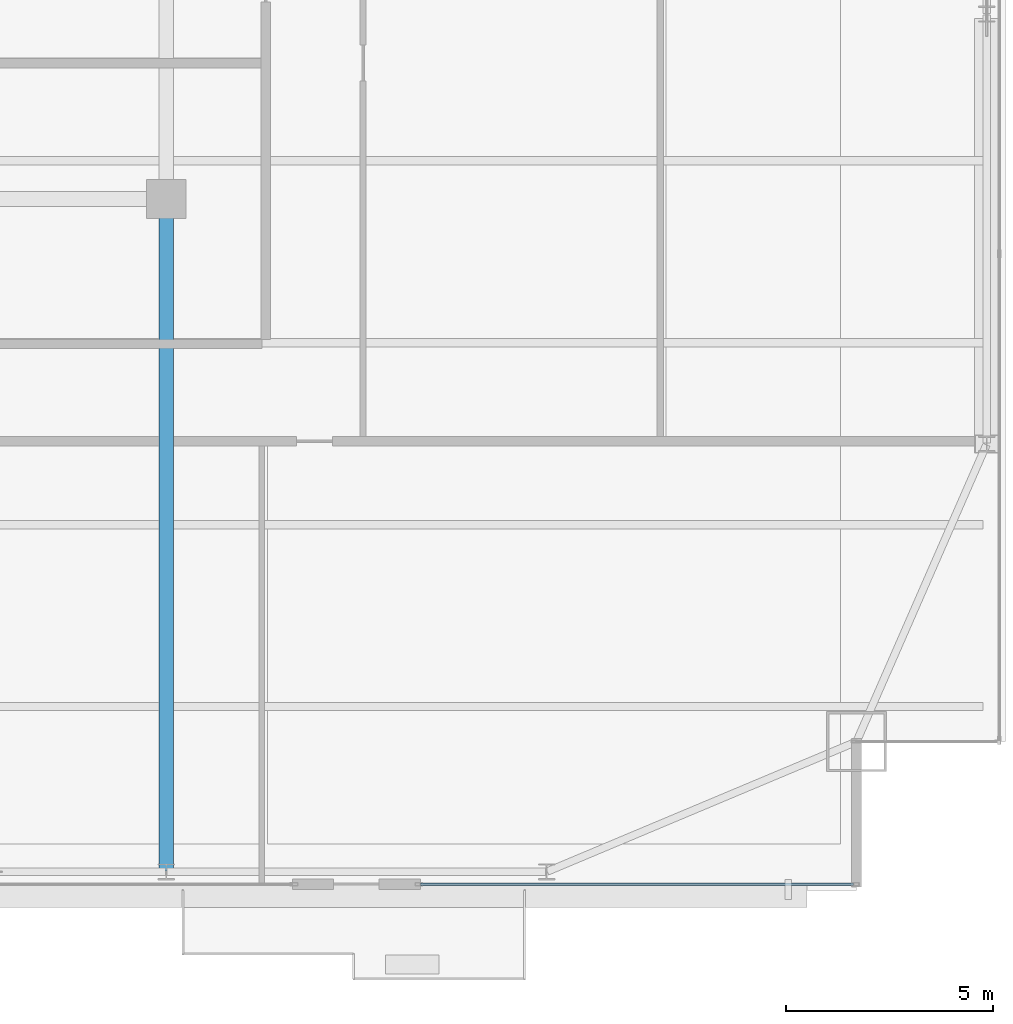
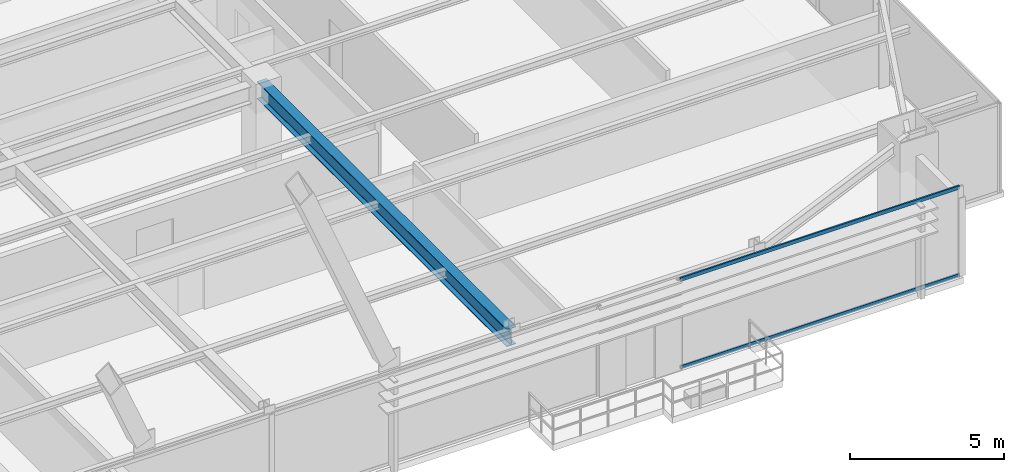
# One storey, part 13 of 37: 2 members, 1 beam, 1 element without a shape of its own.
"""IFC4 building model written with IfcOpenShell, lengths in metres."""

import ifcopenshell
import ifcopenshell.guid

model = None  # the IFC model being written
_history = None  # IfcOwnerHistory: only IFC2X3 demands one
_inside = {}  # id of a spatial element -> (the spatial element, [elements in it])
_under = {}  # id of a project, library or spatial element -> (it, [spatial elements below it])
_declared = {}  # id of a project -> (the project, [libraries it declares])
_typed = {}  # id of a type object -> (the type object, [elements of that type])
_made_of = {}  # id of a material, layer set ... -> (it, [elements and type objects made of it])


def new_model(schema):
    """Start an empty IFC model of exactly this schema.

    Asked for "IFC4X3", IfcOpenShell would pick the latest addendum, in which some entities
    have other attributes; the version numbers below select the first issue.
    IFC2X3 requires an IfcOwnerHistory on every rooted entity: one is made here for all.
    """
    global model, _history
    if schema == "IFC4X3":
        model = ifcopenshell.file(schema_version=(4, 3, 0, 0))
    else:
        model = ifcopenshell.file(schema=schema)
    _inside.clear()
    _under.clear()
    _declared.clear()
    _typed.clear()
    _made_of.clear()
    _history = None
    if model.schema == "IFC2X3":
        org = make("IfcOrganization", Name="unknown")
        user = make(
            "IfcPersonAndOrganization",
            ThePerson=make("IfcPerson", FamilyName="unknown"),
            TheOrganization=org,
        )
        app = make(
            "IfcApplication",
            ApplicationDeveloper=org,
            Version="unknown",
            ApplicationFullName="unknown",
            ApplicationIdentifier="unknown",
        )
        _history = make(
            "IfcOwnerHistory",
            OwningUser=user,
            OwningApplication=app,
            ChangeAction="ADDED",
            CreationDate=0,
        )
    return model


def make(cls, **values):
    """One entity of the class cls with the attributes given. An attribute that is None is left unset."""
    return model.create_entity(
        cls, **{name: value for name, value in values.items() if value is not None}
    )


def rooted(cls, **values):
    """An entity with a GlobalId (a new one), such as an element, a storey or a relation."""
    return make(cls, GlobalId=ifcopenshell.guid.new(), OwnerHistory=_history, **values)


def si_unit(unit_type, name, prefix=None):
    """IfcSIUnit, for example si_unit("LENGTHUNIT", "METRE", prefix="MILLI")."""
    return make("IfcSIUnit", UnitType=unit_type, Prefix=prefix, Name=name)


def assignment(units):
    """IfcUnitAssignment: the units of a project."""
    return None if units is None else make("IfcUnitAssignment", Units=units)


def point(xyz):
    """IfcCartesianPoint."""
    return None if xyz is None else make("IfcCartesianPoint", Coordinates=xyz)


def direction(xyz):
    """IfcDirection."""
    return None if xyz is None else make("IfcDirection", DirectionRatios=xyz)


def frame(location, z_axis=None, x_axis=None):
    """IfcAxis2Placement3D, a coordinate frame: its origin and axes. An axis left out is left unset."""
    return make(
        "IfcAxis2Placement3D",
        Location=point(location),
        Axis=direction(z_axis),
        RefDirection=direction(x_axis),
    )


def frame_2d(location, x_axis=None):
    """IfcAxis2Placement2D, a coordinate frame in the plane: its origin and x axis."""
    return make(
        "IfcAxis2Placement2D", Location=point(location), RefDirection=direction(x_axis)
    )


def origin():
    """The frame at (0, 0, 0) with its axes left unset."""
    return frame((0.0, 0.0, 0.0))


def origin_2d():
    """The frame at (0, 0) in the plane with its x axis left unset."""
    return frame_2d((0.0, 0.0))


def place(relative_to, where):
    """IfcLocalPlacement: puts the frame where relative to a parent placement (None: the world)."""
    return make(
        "IfcLocalPlacement", PlacementRelTo=relative_to, RelativePlacement=where
    )


def context(
    kind, dimensions, precision=None, world=None, true_north=None, identifier=None
):
    """IfcGeometricRepresentationContext, for example the 3D "Model" context."""
    return make(
        "IfcGeometricRepresentationContext",
        ContextIdentifier=identifier,
        ContextType=kind,
        CoordinateSpaceDimension=dimensions,
        Precision=precision,
        WorldCoordinateSystem=world,
        TrueNorth=true_north,
    )


def subcontext(parent, identifier, kind, view, scale=None):
    """IfcGeometricRepresentationSubContext, for example "Body" below "Model"."""
    return make(
        "IfcGeometricRepresentationSubContext",
        ContextIdentifier=identifier,
        ContextType=kind,
        ParentContext=parent,
        TargetScale=scale,
        TargetView=view,
    )


def project(units=None, contexts=None):
    """IfcProject with its units and contexts."""
    return rooted(
        "IfcProject",
        Name="project",
        RepresentationContexts=contexts,
        UnitsInContext=assignment(units),
    )


def spatial(cls, under=None, at=None, **own):
    """A site, building, storey or space (cls), placed at a placement, below another one or the project."""
    s = rooted(cls, ObjectPlacement=at, **own)
    if under is not None:
        _under.setdefault(under.id(), (under, []))[1].append(s)
    return s


def profile(cls, at=None, kind="AREA", **sizes):
    """A parametric profile (cls). Its sizes go by their IFC names, for example OverallWidth=200.0."""
    return make(cls, ProfileType=kind, Position=at, **sizes)


def hollow_rectangle(**sizes):
    """IfcRectangleHollowProfileDef."""
    return profile("IfcRectangleHollowProfileDef", **sizes)


def i_section(**sizes):
    """IfcIShapeProfileDef."""
    return profile("IfcIShapeProfileDef", **sizes)


def extrude(swept, where, along, depth):
    """IfcExtrudedAreaSolid: the profile swept, set in the frame where, extruded along a direction by depth."""
    return make(
        "IfcExtrudedAreaSolid",
        SweptArea=swept,
        Position=where,
        ExtrudedDirection=direction(along),
        Depth=depth,
    )


def shape(context_of_items, identifier, shape_type, items):
    """IfcShapeRepresentation: the items that make up one representation, for example the "Body"."""
    return make(
        "IfcShapeRepresentation",
        ContextOfItems=context_of_items,
        RepresentationIdentifier=identifier,
        RepresentationType=shape_type,
        Items=items,
    )


def source(mapping_origin, context_of_items, identifier, shape_type, items):
    """IfcRepresentationMap: a shape defined once, which mapped items show again and again."""
    return make(
        "IfcRepresentationMap",
        MappingOrigin=mapping_origin,
        MappedRepresentation=shape(context_of_items, identifier, shape_type, items),
    )


def transform(
    local_origin,
    x_axis=None,
    y_axis=None,
    z_axis=None,
    scale=None,
    scale2=None,
    scale3=None,
    uniform=True,
):
    """IfcCartesianTransformationOperator3D, or its non-uniform kind. x_axis, y_axis, z_axis: its Axis1, 2, 3."""
    if uniform:
        return make(
            "IfcCartesianTransformationOperator3D",
            Axis1=direction(x_axis),
            Axis2=direction(y_axis),
            LocalOrigin=point(local_origin),
            Scale=scale,
            Axis3=direction(z_axis),
        )
    return make(
        "IfcCartesianTransformationOperator3DnonUniform",
        Axis1=direction(x_axis),
        Axis2=direction(y_axis),
        LocalOrigin=point(local_origin),
        Scale=scale,
        Axis3=direction(z_axis),
        Scale2=scale2,
        Scale3=scale3,
    )


def mapped(mapping_source, mapping_target):
    """IfcMappedItem: shows the shape of a source again, moved by a transform."""
    return make(
        "IfcMappedItem", MappingSource=mapping_source, MappingTarget=mapping_target
    )


def material(Name=None, Category=None):
    """IfcMaterial."""
    return make("IfcMaterial", Name=Name, Category=Category)


def layer(
    of_material, thickness, ventilated=None, Name=None, Category=None, Priority=None
):
    """IfcMaterialLayer: one layer of a wall or slab, of a material (None: an air gap)."""
    return make(
        "IfcMaterialLayer",
        Material=of_material,
        LayerThickness=thickness,
        IsVentilated=ventilated,
        Name=Name,
        Category=Category,
        Priority=Priority,
    )


def layer_set(layers, Name=None):
    """IfcMaterialLayerSet."""
    return make("IfcMaterialLayerSet", MaterialLayers=layers, LayerSetName=Name)


def material_profile(
    of_material, cross_section, Name=None, Category=None, Priority=None
):
    """IfcMaterialProfile: a cross section and its material."""
    return make(
        "IfcMaterialProfile",
        Name=Name,
        Material=of_material,
        Profile=cross_section,
        Priority=Priority,
        Category=Category,
    )


def profile_set(profiles, Name=None, composite=None):
    """IfcMaterialProfileSet."""
    return make(
        "IfcMaterialProfileSet",
        Name=Name,
        MaterialProfiles=profiles,
        CompositeProfile=composite,
    )


def made_of(thing, what):
    """Note that an element or type object is made of a material, layer set ...; save() writes the relation."""
    if what is not None:
        _made_of.setdefault(what.id(), (what, []))[1].append(thing)
    return thing


def type_object(cls, material=None, **own):
    """A type object (cls), such as IfcWallType, which elements share."""
    return made_of(rooted(cls, **own), material)


def type_shapes(of_type, sources):
    """Give a type object the sources (RepresentationMaps) that its elements show as mapped items."""
    of_type.RepresentationMaps = sources


def element(
    cls,
    number,
    at=None,
    inside=None,
    cuts=None,
    type_object=None,
    material=None,
    context=None,
    identifier="Body",
    shape_type=None,
    held_by="IfcProductDefinitionShape",
    body=None,
    shapes=None,
    **own,
):
    """One element of the class cls, such as IfcWall. Its Tag is "e" and its number.

    at: its placement. inside: the storey or other place that contains it. cuts: it is an
    opening in that element (IfcRelVoidsElement). A single representation is given by context,
    identifier, shape_type and body (its items); several are given by shapes. held_by: the class
    of the entity that holds the representations. save() writes the other relations.
    """
    e = rooted(cls, Tag="e%d" % number, ObjectPlacement=at, **own)
    if body is not None:
        shapes = [shape(context, identifier, shape_type, body)]
    if shapes is not None:
        e.Representation = make(held_by, Representations=shapes)
    if inside is not None:
        _inside.setdefault(inside.id(), (inside, []))[1].append(e)
    if cuts is not None:
        rooted(
            "IfcRelVoidsElement", RelatingBuildingElement=cuts, RelatedOpeningElement=e
        )
    if type_object is not None:
        _typed.setdefault(type_object.id(), (type_object, []))[1].append(e)
    return made_of(e, material)


def aggregate(whole, parts):
    """IfcRelAggregates: a whole, such as a stair, and the parts it consists of."""
    return rooted("IfcRelAggregates", RelatingObject=whole, RelatedObjects=parts)


def save(model, path):
    """Write the relations noted so far, then the file.

    IfcRelAggregates (storeys below a building ...), IfcRelContainedInSpatialStructure (elements
    in a storey), IfcRelDefinesByType, IfcRelAssociatesMaterial and IfcRelDeclares: one each for
    every whole, place, type object, material and project.
    """
    for whole, parts in _under.values():
        aggregate(whole, parts)
    for where, things in _inside.values():
        rooted(
            "IfcRelContainedInSpatialStructure",
            RelatedElements=things,
            RelatingStructure=where,
        )
    for kind, things in _typed.values():
        rooted("IfcRelDefinesByType", RelatedObjects=things, RelatingType=kind)
    for what, things in _made_of.values():
        rooted("IfcRelAssociatesMaterial", RelatedObjects=things, RelatingMaterial=what)
    for by, libraries in _declared.values():
        rooted("IfcRelDeclares", RelatingContext=by, RelatedDefinitions=libraries)
    model.write(path)


model = new_model("IFC4")

# Units and contexts
model_context = context("Model", 3, precision=1e-05, world=origin(), true_north=direction((0.0, 1.0)))
body_context = subcontext(model_context, "Body", "Model", "MODEL_VIEW")
ifc_project = project(units=[si_unit("LENGTHUNIT", "METRE"), si_unit("AREAUNIT", "SQUARE_METRE"), si_unit("VOLUMEUNIT", "CUBIC_METRE"), si_unit("PLANEANGLEUNIT", "RADIAN"), si_unit("MASSUNIT", "GRAM", prefix="KILO")], contexts=[model_context])

# Site, building, storey
site_placement = place(None, origin())
site = spatial("IfcSite", under=ifc_project, at=site_placement, CompositionType="ELEMENT")
building_placement = place(site_placement, origin())
building = spatial("IfcBuilding", under=site, at=building_placement, Name="Varnel Quay Broadcast Tower", CompositionType="ELEMENT")
storey_placement = place(building_placement, frame((0.0, 0.0, 125.800048828125)))
storey = spatial("IfcBuildingStorey", under=building, at=storey_placement, Name="L30", CompositionType="ELEMENT", Elevation=125.800048828125)

# Beam
ifc_material_1 = material(Name="Structural Steel CSA G40.21 350W", Category="steel")
ifc_material_profile_1 = material_profile(ifc_material_1, i_section(OverallWidth=0.35498046875, OverallDepth=0.695068359375, WebThickness=0.015380859375, FlangeThickness=0.02490234375, FilletRadius=0.01806640625, at=origin_2d()), Name="W690X217")
ifc_profile_set_1 = profile_set([ifc_material_profile_1], Name="Structural Steel CSA G40.21 350W")
beam_type = type_object("IfcBeamType", Name="Girder_W690X217", PredefinedType="BEAM", material=ifc_profile_set_1)
shared_shape_1 = source(origin(), body_context, "Body", "SweptSolid", [
    extrude(i_section(OverallWidth=0.35498046875, OverallDepth=0.695068359375, WebThickness=0.015380859375, FlangeThickness=0.02490234375, FilletRadius=0.01806640625, at=origin_2d()), origin(), (0.0, 0.0, 1.0), 16.239990234375),
])
type_shapes(beam_type, [shared_shape_1])
beam_placement = place(storey_placement, frame((43.199951171875, 4.669921875, 3.202392578125), z_axis=(0.0, 1.0, 0.0), x_axis=(-1.0, 0.0, 0.0)))
element("IfcBeam", 1, at=beam_placement, inside=storey, type_object=beam_type, Name="L30 Primary Girder TC-S4-IC-02", PredefinedType="BEAM", context=body_context, shape_type="MappedRepresentation", body=[
    mapped(shared_shape_1, transform((0.0, 0.0, 0.0), x_axis=(1.0, 0.0, 0.0), y_axis=(0.0, 1.0, 0.0), z_axis=(0.0, 0.0, 1.0), scale=1.0)),
])

# Curtain wall, members
ifc_material_2 = material(Name="Anodised Bronze Aluminium 6063-T6", Category="aluminium")
ifc_layer = layer(ifc_material_2, 0.18994140625, Name="Anodised Bronze Aluminium 6063-T6")
ifc_layer_set = layer_set([ifc_layer], Name="Anodised Bronze Aluminium 6063-T6")
curtain_wall_type = type_object("IfcCurtainWallType", Name="CW_LowerTower", PredefinedType="NOTDEFINED", material=ifc_layer_set)
curtain_wall_placement = place(storey_placement, origin())
curtain_wall = element("IfcCurtainWall", 2, at=curtain_wall_placement, inside=storey, type_object=curtain_wall_type, Name="L30 South Unitised Curtain Wall 3", PredefinedType="NOTDEFINED")
ifc_material_profile_2 = material_profile(ifc_material_2, hollow_rectangle(XDim=0.06005859375, YDim=0.14501953125, WallThickness=0.00341796875, at=origin_2d()), Name="ALU60X145X3.5")
ifc_profile_set_2 = profile_set([ifc_material_profile_2], Name="Anodised Bronze Aluminium 6063-T6")
member_type = type_object("IfcMemberType", Name="Tran_CWS-02", PredefinedType="USERDEFINED", material=ifc_profile_set_2)
shared_shape_2 = source(origin(), body_context, "Body", "SweptSolid", [
    extrude(hollow_rectangle(XDim=0.06005859375, YDim=0.14501953125, WallThickness=0.00341796875, at=origin_2d()), origin(), (0.0, 0.0, 1.0), 10.47998046875),
])
type_shapes(member_type, [shared_shape_2])
member_1_placement = place(storey_placement, frame((49.35009765625, 4.35009765625, 0.030029296875), z_axis=(1.0, 0.0, 0.0), x_axis=(0.0, 1.0, 0.0)))
member_1 = element("IfcMember", 3, at=member_1_placement, type_object=member_type, Name="CWS-02 transom 1.1", ObjectType="TRANSOM", PredefinedType="USERDEFINED", context=body_context, shape_type="MappedRepresentation", body=[
    mapped(shared_shape_2, transform((0.0, 0.0, 0.0), x_axis=(1.0, 0.0, 0.0), y_axis=(0.0, 1.0, 0.0), z_axis=(0.0, 0.0, 1.0), scale=1.0)),
])
member_2_placement = place(storey_placement, frame((49.35009765625, 4.35009765625, 3.52001953125), z_axis=(1.0, 0.0, 0.0), x_axis=(0.0, 1.0, 0.0)))
member_2 = element("IfcMember", 4, at=member_2_placement, type_object=member_type, Name="CWS-02 transom 1.2", ObjectType="TRANSOM", PredefinedType="USERDEFINED", context=body_context, shape_type="MappedRepresentation", body=[
    mapped(shared_shape_2, transform((0.0, 0.0, 0.0), x_axis=(1.0, 0.0, 0.0), y_axis=(0.0, 1.0, 0.0), z_axis=(0.0, 0.0, 1.0), scale=1.0)),
])
aggregate(curtain_wall, [member_1, member_2])

save(model, "model.ifc")
